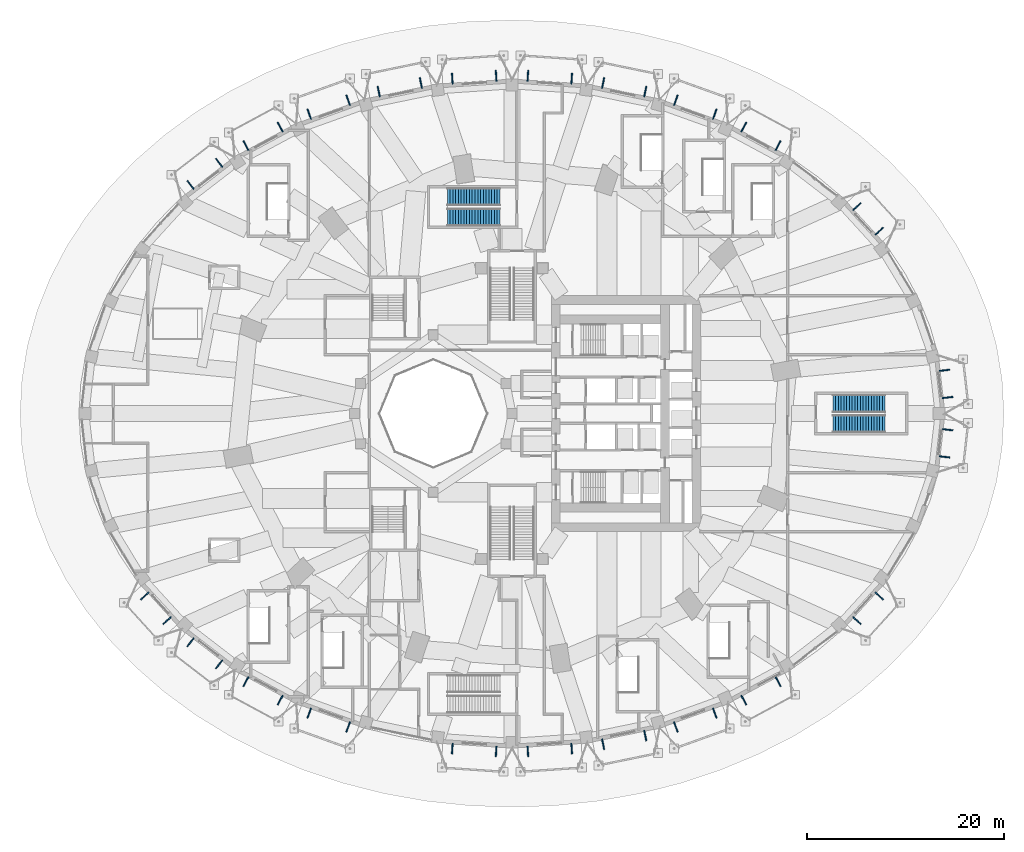
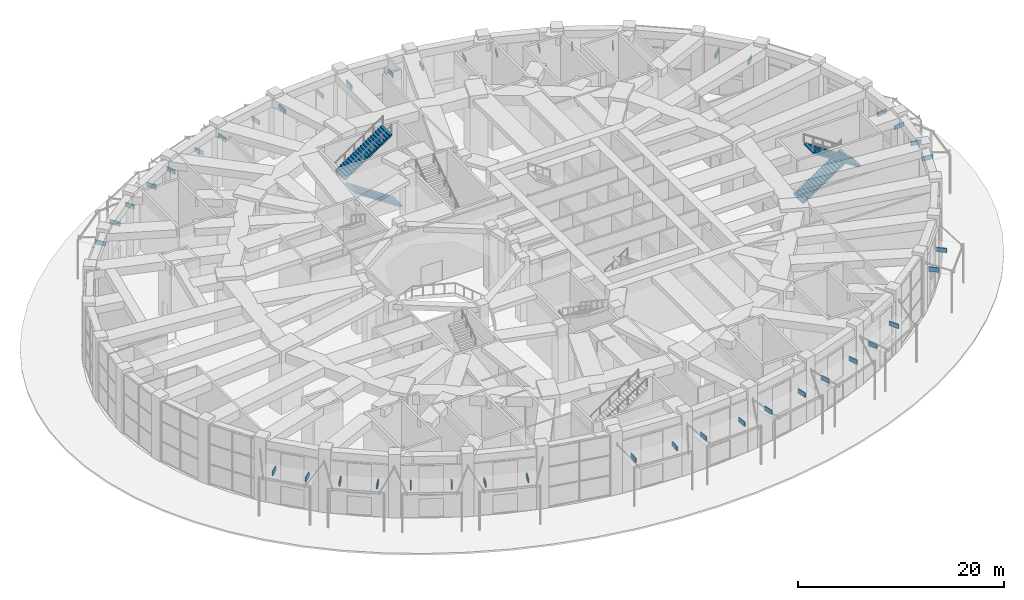
# One storey, part 43 of 60: 44 discrete accessories, 4 stair flights, 2 elements without a shape of their own.
"""IFC4 building model written with IfcOpenShell, lengths in metres."""

from ifc_helpers import new_model, si_unit, direction, frame, origin, origin_2d, place, context, subcontext, project, spatial, polyline, rectangle, outline, extrude, material, type_object, element, aggregate, save


model = new_model("IFC4")

# Units and contexts
model_context = context("Model", 3, precision=1e-05, world=origin(), true_north=direction((0.0, 1.0)))
body_context = subcontext(model_context, "Body", "Model", "MODEL_VIEW")
ifc_project = project(units=[si_unit("LENGTHUNIT", "METRE"), si_unit("AREAUNIT", "SQUARE_METRE"), si_unit("VOLUMEUNIT", "CUBIC_METRE"), si_unit("PLANEANGLEUNIT", "RADIAN"), si_unit("MASSUNIT", "GRAM", prefix="KILO")], contexts=[model_context])

# Site, building, storey
site_placement = place(None, origin())
site = spatial("IfcSite", under=ifc_project, at=site_placement, CompositionType="ELEMENT")
building_placement = place(site_placement, origin())
building = spatial("IfcBuilding", under=site, at=building_placement, Name="Taillehof Tower", CompositionType="ELEMENT")
storey_placement = place(building_placement, origin())
storey = spatial("IfcBuildingStorey", under=building, at=storey_placement, Name="L00", CompositionType="ELEMENT", Elevation=0.0)

# Stair, stair flights
ifc_material_1 = material(Name="Concrete C30/37", Category="concrete")
stair_type = type_object("IfcStairType", Name="Escape stair 1800 mm", PredefinedType="HALF_TURN_STAIR", material=ifc_material_1)
stair_1_placement = place(storey_placement, origin())
stair_1 = element("IfcStair", 1, at=stair_1_placement, inside=storey, type_object=stair_type, Name="Escape stair P3", PredefinedType="HALF_TURN_STAIR")
ifc_material_2 = material(Name="Concrete C30/37", Category="concrete")
stair_flight_type = type_object("IfcStairFlightType", Name="Stair flight 1800 mm", PredefinedType="STRAIGHT", material=ifc_material_2)
stair_flight_1_placement = place(storey_placement, frame((-1.239990234375, 19.97509765625, 0.0), z_axis=(0.0, 0.0, 1.0), x_axis=(-1.0, 0.0, 0.0)))
stair_flight_1 = element("IfcStairFlight", 2, at=stair_flight_1_placement, type_object=stair_flight_type, Name="P3 flight 1", NumberOfRisers=20, NumberOfTreads=19, PredefinedType="STRAIGHT", RiserHeight=0.1875, TreadLength=0.28, context=body_context, shape_type="SweptSolid", body=[
    extrude(outline(polyline([(0.0, 0.0), (0.0, 0.003173828125), (0.0, 0.006103515625), (0.0, 0.00927734375), (0.0, 0.01220703125), (0.0, 0.015380859375), (0.0, 0.0185546875), (0.0, 0.021484375), (0.0, 0.024658203125), (0.0, 0.027587890625), (0.0, 0.03076171875), (0.0, 0.03369140625), (0.0, 0.036865234375), (0.0, 0.0400390625), (0.0, 0.04296875), (0.0, 0.046142578125), (0.0, 0.049072265625), (0.0, 0.05224609375), (0.0, 0.055419921875), (0.0, 0.058349609375), (0.0, 0.0615234375), (0.0, 0.064453125), (0.0, 0.067626953125), (0.0, 0.07080078125), (0.0, 0.07373046875), (0.0, 0.076904296875), (0.0, 0.079833984375), (0.0, 0.0830078125), (0.0, 0.086181640625), (0.0, 0.089111328125), (0.0, 0.09228515625), (0.0, 0.09521484375), (0.0, 0.098388671875), (0.0, 0.101318359375), (0.0, 0.1044921875), (0.0, 0.107666015625), (0.0, 0.110595703125), (0.0, 0.11376953125), (0.0, 0.11669921875), (0.0, 0.119873046875), (0.0, 0.123046875), (0.0, 0.1259765625), (0.0, 0.129150390625), (0.0, 0.132080078125), (0.0, 0.13525390625), (0.0, 0.138427734375), (0.0, 0.141357421875), (0.0, 0.14453125), (0.0, 0.1474609375), (0.0, 0.150634765625), (0.0, 0.15380859375), (0.0, 0.15673828125), (0.0, 0.159912109375), (0.0, 0.162841796875), (0.0, 0.166015625), (0.0, 0.1689453125), (0.0, 0.172119140625), (0.0, 0.17529296875), (0.0, 0.17822265625), (0.0, 0.181396484375), (0.0, 0.184326171875), (0.0, 0.1875), (0.280029296875, 0.1875), (0.280029296875, 0.375), (0.56005859375, 0.375), (0.56005859375, 0.5625), (0.840087890625, 0.5625), (0.840087890625, 0.75), (1.1201171875, 0.75), (1.1201171875, 0.9375), (1.39990234375, 0.9375), (1.39990234375, 1.125), (1.679931640625, 1.125), (1.679931640625, 1.3125), (1.9599609375, 1.3125), (1.9599609375, 1.5), (2.239990234375, 1.5), (2.239990234375, 1.6875), (2.52001953125, 1.6875), (2.52001953125, 1.875), (2.800048828125, 1.875), (2.800048828125, 2.0625), (3.080078125, 2.0625), (3.080078125, 2.25), (3.360107421875, 2.25), (3.360107421875, 2.4375), (3.639892578125, 2.4375), (3.639892578125, 2.625), (3.919921875, 2.625), (3.919921875, 2.8125), (4.199951171875, 2.8125), (4.199951171875, 3.0), (4.47998046875, 3.0), (4.47998046875, 3.1875), (4.760009765625, 3.1875), (4.760009765625, 3.375), (5.0400390625, 3.375), (5.0400390625, 3.5625), (5.320068359375, 3.5625), (5.320068359375, 3.5595703125), (5.320068359375, 3.556640625), (5.320068359375, 3.5537109375), (5.320068359375, 3.55078125), (5.320068359375, 3.547607421875), (5.320068359375, 3.544677734375), (5.320068359375, 3.541748046875), (5.320068359375, 3.538818359375), (5.320068359375, 3.535888671875), (5.320068359375, 3.532958984375), (5.320068359375, 3.530029296875), (5.320068359375, 3.527099609375), (5.320068359375, 3.524169921875), (5.320068359375, 3.52099609375), (5.320068359375, 3.51806640625), (5.320068359375, 3.51513671875), (5.320068359375, 3.51220703125), (5.320068359375, 3.50927734375), (5.320068359375, 3.50634765625), (5.320068359375, 3.50341796875), (5.320068359375, 3.50048828125), (5.320068359375, 3.497314453125), (5.320068359375, 3.494384765625), (5.320068359375, 3.491455078125), (5.320068359375, 3.488525390625), (5.320068359375, 3.485595703125), (5.320068359375, 3.482666015625), (5.320068359375, 3.479736328125), (5.320068359375, 3.476806640625), (5.320068359375, 3.473876953125), (5.320068359375, 3.470703125), (5.320068359375, 3.4677734375), (5.320068359375, 3.46484375), (5.320068359375, 3.4619140625), (5.320068359375, 3.458984375), (5.320068359375, 3.4560546875), (5.320068359375, 3.453125), (5.320068359375, 3.4501953125), (5.320068359375, 3.447265625), (5.320068359375, 3.444091796875), (5.320068359375, 3.441162109375), (5.320068359375, 3.438232421875), (5.320068359375, 3.435302734375), (5.320068359375, 3.432373046875), (5.320068359375, 3.429443359375), (5.320068359375, 3.426513671875), (5.320068359375, 3.423583984375), (5.320068359375, 3.420654296875), (5.320068359375, 3.41748046875), (5.320068359375, 3.41455078125), (5.320068359375, 3.41162109375), (5.320068359375, 3.40869140625), (5.320068359375, 3.40576171875), (5.320068359375, 3.40283203125), (5.320068359375, 3.39990234375), (5.320068359375, 3.39697265625), (5.320068359375, 3.39404296875), (5.320068359375, 3.390869140625), (5.320068359375, 3.387939453125), (5.320068359375, 3.385009765625), (5.320068359375, 3.382080078125), (0.26953125, 0.0), (0.0, 0.0)])), frame((0.0, 0.89990234375, 0.0), z_axis=(0.0, -1.0, 0.0), x_axis=(1.0, 0.0, 0.0)), (0.0, 0.0, 1.0), 1.8),
])
stair_flight_2_placement = place(storey_placement, frame((-6.56005859375, 22.02490234375, 3.75), z_axis=(0.0, 0.0, 1.0), x_axis=(1.0, 0.0, 0.0)))
stair_flight_2 = element("IfcStairFlight", 3, at=stair_flight_2_placement, type_object=stair_flight_type, Name="P3 flight 2", NumberOfRisers=20, NumberOfTreads=19, PredefinedType="STRAIGHT", RiserHeight=0.1875, TreadLength=0.28, context=body_context, shape_type="SweptSolid", body=[
    extrude(outline(polyline([(0.0, 0.0), (0.0, 0.003173828125), (0.0, 0.006103515625), (0.0, 0.00927734375), (0.0, 0.01220703125), (0.0, 0.015380859375), (0.0, 0.0185546875), (0.0, 0.021484375), (0.0, 0.024658203125), (0.0, 0.027587890625), (0.0, 0.03076171875), (0.0, 0.03369140625), (0.0, 0.036865234375), (0.0, 0.0400390625), (0.0, 0.04296875), (0.0, 0.046142578125), (0.0, 0.049072265625), (0.0, 0.05224609375), (0.0, 0.055419921875), (0.0, 0.058349609375), (0.0, 0.0615234375), (0.0, 0.064453125), (0.0, 0.067626953125), (0.0, 0.07080078125), (0.0, 0.07373046875), (0.0, 0.076904296875), (0.0, 0.079833984375), (0.0, 0.0830078125), (0.0, 0.086181640625), (0.0, 0.089111328125), (0.0, 0.09228515625), (0.0, 0.09521484375), (0.0, 0.098388671875), (0.0, 0.101318359375), (0.0, 0.1044921875), (0.0, 0.107666015625), (0.0, 0.110595703125), (0.0, 0.11376953125), (0.0, 0.11669921875), (0.0, 0.119873046875), (0.0, 0.123046875), (0.0, 0.1259765625), (0.0, 0.129150390625), (0.0, 0.132080078125), (0.0, 0.13525390625), (0.0, 0.138427734375), (0.0, 0.141357421875), (0.0, 0.14453125), (0.0, 0.1474609375), (0.0, 0.150634765625), (0.0, 0.15380859375), (0.0, 0.15673828125), (0.0, 0.159912109375), (0.0, 0.162841796875), (0.0, 0.166015625), (0.0, 0.1689453125), (0.0, 0.172119140625), (0.0, 0.17529296875), (0.0, 0.17822265625), (0.0, 0.181396484375), (0.0, 0.184326171875), (0.0, 0.1875), (0.280029296875, 0.1875), (0.280029296875, 0.375), (0.56005859375, 0.375), (0.56005859375, 0.5625), (0.840087890625, 0.5625), (0.840087890625, 0.75), (1.1201171875, 0.75), (1.1201171875, 0.9375), (1.39990234375, 0.9375), (1.39990234375, 1.125), (1.679931640625, 1.125), (1.679931640625, 1.3125), (1.9599609375, 1.3125), (1.9599609375, 1.5), (2.239990234375, 1.5), (2.239990234375, 1.6875), (2.52001953125, 1.6875), (2.52001953125, 1.875), (2.800048828125, 1.875), (2.800048828125, 2.0625), (3.080078125, 2.0625), (3.080078125, 2.25), (3.360107421875, 2.25), (3.360107421875, 2.4375), (3.639892578125, 2.4375), (3.639892578125, 2.625), (3.919921875, 2.625), (3.919921875, 2.8125), (4.199951171875, 2.8125), (4.199951171875, 3.0), (4.47998046875, 3.0), (4.47998046875, 3.1875), (4.760009765625, 3.1875), (4.760009765625, 3.375), (5.0400390625, 3.375), (5.0400390625, 3.5625), (5.320068359375, 3.5625), (5.320068359375, 3.5595703125), (5.320068359375, 3.556640625), (5.320068359375, 3.5537109375), (5.320068359375, 3.55078125), (5.320068359375, 3.547607421875), (5.320068359375, 3.544677734375), (5.320068359375, 3.541748046875), (5.320068359375, 3.538818359375), (5.320068359375, 3.535888671875), (5.320068359375, 3.532958984375), (5.320068359375, 3.530029296875), (5.320068359375, 3.527099609375), (5.320068359375, 3.524169921875), (5.320068359375, 3.52099609375), (5.320068359375, 3.51806640625), (5.320068359375, 3.51513671875), (5.320068359375, 3.51220703125), (5.320068359375, 3.50927734375), (5.320068359375, 3.50634765625), (5.320068359375, 3.50341796875), (5.320068359375, 3.50048828125), (5.320068359375, 3.497314453125), (5.320068359375, 3.494384765625), (5.320068359375, 3.491455078125), (5.320068359375, 3.488525390625), (5.320068359375, 3.485595703125), (5.320068359375, 3.482666015625), (5.320068359375, 3.479736328125), (5.320068359375, 3.476806640625), (5.320068359375, 3.473876953125), (5.320068359375, 3.470703125), (5.320068359375, 3.4677734375), (5.320068359375, 3.46484375), (5.320068359375, 3.4619140625), (5.320068359375, 3.458984375), (5.320068359375, 3.4560546875), (5.320068359375, 3.453125), (5.320068359375, 3.4501953125), (5.320068359375, 3.447265625), (5.320068359375, 3.444091796875), (5.320068359375, 3.441162109375), (5.320068359375, 3.438232421875), (5.320068359375, 3.435302734375), (5.320068359375, 3.432373046875), (5.320068359375, 3.429443359375), (5.320068359375, 3.426513671875), (5.320068359375, 3.423583984375), (5.320068359375, 3.420654296875), (5.320068359375, 3.41748046875), (5.320068359375, 3.41455078125), (5.320068359375, 3.41162109375), (5.320068359375, 3.40869140625), (5.320068359375, 3.40576171875), (5.320068359375, 3.40283203125), (5.320068359375, 3.39990234375), (5.320068359375, 3.39697265625), (5.320068359375, 3.39404296875), (5.320068359375, 3.390869140625), (5.320068359375, 3.387939453125), (5.320068359375, 3.385009765625), (5.320068359375, 3.382080078125), (0.26953125, 0.0), (0.0, 0.0)])), frame((0.0, 0.89990234375, 0.0), z_axis=(0.0, -1.0, 0.0), x_axis=(1.0, 0.0, 0.0)), (0.0, 0.0, 1.0), 1.8),
])
aggregate(stair_1, [stair_flight_1, stair_flight_2])

stair_2_placement = place(storey_placement, origin())
stair_2 = element("IfcStair", 4, at=stair_2_placement, inside=storey, type_object=stair_type, Name="Escape stair P5", PredefinedType="HALF_TURN_STAIR")
stair_flight_3_placement = place(storey_placement, frame((32.60009765625, 1.02490234375, 0.0), z_axis=(0.0, 0.0, 1.0), x_axis=(1.0, 0.0, 0.0)))
stair_flight_3 = element("IfcStairFlight", 5, at=stair_flight_3_placement, type_object=stair_flight_type, Name="P5 flight 1", NumberOfRisers=20, NumberOfTreads=19, PredefinedType="STRAIGHT", RiserHeight=0.1875, TreadLength=0.28, context=body_context, shape_type="SweptSolid", body=[
    extrude(outline(polyline([(0.0, 0.0), (0.0, 0.003173828125), (0.0, 0.006103515625), (0.0, 0.00927734375), (0.0, 0.01220703125), (0.0, 0.015380859375), (0.0, 0.0185546875), (0.0, 0.021484375), (0.0, 0.024658203125), (0.0, 0.027587890625), (0.0, 0.03076171875), (0.0, 0.03369140625), (0.0, 0.036865234375), (0.0, 0.0400390625), (0.0, 0.04296875), (0.0, 0.046142578125), (0.0, 0.049072265625), (0.0, 0.05224609375), (0.0, 0.055419921875), (0.0, 0.058349609375), (0.0, 0.0615234375), (0.0, 0.064453125), (0.0, 0.067626953125), (0.0, 0.07080078125), (0.0, 0.07373046875), (0.0, 0.076904296875), (0.0, 0.079833984375), (0.0, 0.0830078125), (0.0, 0.086181640625), (0.0, 0.089111328125), (0.0, 0.09228515625), (0.0, 0.09521484375), (0.0, 0.098388671875), (0.0, 0.101318359375), (0.0, 0.1044921875), (0.0, 0.107666015625), (0.0, 0.110595703125), (0.0, 0.11376953125), (0.0, 0.11669921875), (0.0, 0.119873046875), (0.0, 0.123046875), (0.0, 0.1259765625), (0.0, 0.129150390625), (0.0, 0.132080078125), (0.0, 0.13525390625), (0.0, 0.138427734375), (0.0, 0.141357421875), (0.0, 0.14453125), (0.0, 0.1474609375), (0.0, 0.150634765625), (0.0, 0.15380859375), (0.0, 0.15673828125), (0.0, 0.159912109375), (0.0, 0.162841796875), (0.0, 0.166015625), (0.0, 0.1689453125), (0.0, 0.172119140625), (0.0, 0.17529296875), (0.0, 0.17822265625), (0.0, 0.181396484375), (0.0, 0.184326171875), (0.0, 0.1875), (0.280029296875, 0.1875), (0.280029296875, 0.375), (0.56005859375, 0.375), (0.56005859375, 0.5625), (0.840087890625, 0.5625), (0.840087890625, 0.75), (1.1201171875, 0.75), (1.1201171875, 0.9375), (1.39990234375, 0.9375), (1.39990234375, 1.125), (1.679931640625, 1.125), (1.679931640625, 1.3125), (1.9599609375, 1.3125), (1.9599609375, 1.5), (2.239990234375, 1.5), (2.239990234375, 1.6875), (2.52001953125, 1.6875), (2.52001953125, 1.875), (2.800048828125, 1.875), (2.800048828125, 2.0625), (3.080078125, 2.0625), (3.080078125, 2.25), (3.360107421875, 2.25), (3.360107421875, 2.4375), (3.639892578125, 2.4375), (3.639892578125, 2.625), (3.919921875, 2.625), (3.919921875, 2.8125), (4.199951171875, 2.8125), (4.199951171875, 3.0), (4.47998046875, 3.0), (4.47998046875, 3.1875), (4.760009765625, 3.1875), (4.760009765625, 3.375), (5.0400390625, 3.375), (5.0400390625, 3.5625), (5.320068359375, 3.5625), (5.320068359375, 3.5595703125), (5.320068359375, 3.556640625), (5.320068359375, 3.5537109375), (5.320068359375, 3.55078125), (5.320068359375, 3.547607421875), (5.320068359375, 3.544677734375), (5.320068359375, 3.541748046875), (5.320068359375, 3.538818359375), (5.320068359375, 3.535888671875), (5.320068359375, 3.532958984375), (5.320068359375, 3.530029296875), (5.320068359375, 3.527099609375), (5.320068359375, 3.524169921875), (5.320068359375, 3.52099609375), (5.320068359375, 3.51806640625), (5.320068359375, 3.51513671875), (5.320068359375, 3.51220703125), (5.320068359375, 3.50927734375), (5.320068359375, 3.50634765625), (5.320068359375, 3.50341796875), (5.320068359375, 3.50048828125), (5.320068359375, 3.497314453125), (5.320068359375, 3.494384765625), (5.320068359375, 3.491455078125), (5.320068359375, 3.488525390625), (5.320068359375, 3.485595703125), (5.320068359375, 3.482666015625), (5.320068359375, 3.479736328125), (5.320068359375, 3.476806640625), (5.320068359375, 3.473876953125), (5.320068359375, 3.470703125), (5.320068359375, 3.4677734375), (5.320068359375, 3.46484375), (5.320068359375, 3.4619140625), (5.320068359375, 3.458984375), (5.320068359375, 3.4560546875), (5.320068359375, 3.453125), (5.320068359375, 3.4501953125), (5.320068359375, 3.447265625), (5.320068359375, 3.444091796875), (5.320068359375, 3.441162109375), (5.320068359375, 3.438232421875), (5.320068359375, 3.435302734375), (5.320068359375, 3.432373046875), (5.320068359375, 3.429443359375), (5.320068359375, 3.426513671875), (5.320068359375, 3.423583984375), (5.320068359375, 3.420654296875), (5.320068359375, 3.41748046875), (5.320068359375, 3.41455078125), (5.320068359375, 3.41162109375), (5.320068359375, 3.40869140625), (5.320068359375, 3.40576171875), (5.320068359375, 3.40283203125), (5.320068359375, 3.39990234375), (5.320068359375, 3.39697265625), (5.320068359375, 3.39404296875), (5.320068359375, 3.390869140625), (5.320068359375, 3.387939453125), (5.320068359375, 3.385009765625), (5.320068359375, 3.382080078125), (0.26953125, 0.0), (0.0, 0.0)])), frame((0.0, 0.89990234375, 0.0), z_axis=(0.0, -1.0, 0.0), x_axis=(1.0, 0.0, 0.0)), (0.0, 0.0, 1.0), 1.8),
])
stair_flight_4_placement = place(storey_placement, frame((37.919921875, -1.02490234375, 3.75), z_axis=(0.0, 0.0, 1.0), x_axis=(-1.0, 0.0, 0.0)))
stair_flight_4 = element("IfcStairFlight", 6, at=stair_flight_4_placement, type_object=stair_flight_type, Name="P5 flight 2", NumberOfRisers=20, NumberOfTreads=19, PredefinedType="STRAIGHT", RiserHeight=0.1875, TreadLength=0.28, context=body_context, shape_type="SweptSolid", body=[
    extrude(outline(polyline([(0.0, 0.0), (0.0, 0.003173828125), (0.0, 0.006103515625), (0.0, 0.00927734375), (0.0, 0.01220703125), (0.0, 0.015380859375), (0.0, 0.0185546875), (0.0, 0.021484375), (0.0, 0.024658203125), (0.0, 0.027587890625), (0.0, 0.03076171875), (0.0, 0.03369140625), (0.0, 0.036865234375), (0.0, 0.0400390625), (0.0, 0.04296875), (0.0, 0.046142578125), (0.0, 0.049072265625), (0.0, 0.05224609375), (0.0, 0.055419921875), (0.0, 0.058349609375), (0.0, 0.0615234375), (0.0, 0.064453125), (0.0, 0.067626953125), (0.0, 0.07080078125), (0.0, 0.07373046875), (0.0, 0.076904296875), (0.0, 0.079833984375), (0.0, 0.0830078125), (0.0, 0.086181640625), (0.0, 0.089111328125), (0.0, 0.09228515625), (0.0, 0.09521484375), (0.0, 0.098388671875), (0.0, 0.101318359375), (0.0, 0.1044921875), (0.0, 0.107666015625), (0.0, 0.110595703125), (0.0, 0.11376953125), (0.0, 0.11669921875), (0.0, 0.119873046875), (0.0, 0.123046875), (0.0, 0.1259765625), (0.0, 0.129150390625), (0.0, 0.132080078125), (0.0, 0.13525390625), (0.0, 0.138427734375), (0.0, 0.141357421875), (0.0, 0.14453125), (0.0, 0.1474609375), (0.0, 0.150634765625), (0.0, 0.15380859375), (0.0, 0.15673828125), (0.0, 0.159912109375), (0.0, 0.162841796875), (0.0, 0.166015625), (0.0, 0.1689453125), (0.0, 0.172119140625), (0.0, 0.17529296875), (0.0, 0.17822265625), (0.0, 0.181396484375), (0.0, 0.184326171875), (0.0, 0.1875), (0.280029296875, 0.1875), (0.280029296875, 0.375), (0.56005859375, 0.375), (0.56005859375, 0.5625), (0.840087890625, 0.5625), (0.840087890625, 0.75), (1.1201171875, 0.75), (1.1201171875, 0.9375), (1.39990234375, 0.9375), (1.39990234375, 1.125), (1.679931640625, 1.125), (1.679931640625, 1.3125), (1.9599609375, 1.3125), (1.9599609375, 1.5), (2.239990234375, 1.5), (2.239990234375, 1.6875), (2.52001953125, 1.6875), (2.52001953125, 1.875), (2.800048828125, 1.875), (2.800048828125, 2.0625), (3.080078125, 2.0625), (3.080078125, 2.25), (3.360107421875, 2.25), (3.360107421875, 2.4375), (3.639892578125, 2.4375), (3.639892578125, 2.625), (3.919921875, 2.625), (3.919921875, 2.8125), (4.199951171875, 2.8125), (4.199951171875, 3.0), (4.47998046875, 3.0), (4.47998046875, 3.1875), (4.760009765625, 3.1875), (4.760009765625, 3.375), (5.0400390625, 3.375), (5.0400390625, 3.5625), (5.320068359375, 3.5625), (5.320068359375, 3.5595703125), (5.320068359375, 3.556640625), (5.320068359375, 3.5537109375), (5.320068359375, 3.55078125), (5.320068359375, 3.547607421875), (5.320068359375, 3.544677734375), (5.320068359375, 3.541748046875), (5.320068359375, 3.538818359375), (5.320068359375, 3.535888671875), (5.320068359375, 3.532958984375), (5.320068359375, 3.530029296875), (5.320068359375, 3.527099609375), (5.320068359375, 3.524169921875), (5.320068359375, 3.52099609375), (5.320068359375, 3.51806640625), (5.320068359375, 3.51513671875), (5.320068359375, 3.51220703125), (5.320068359375, 3.50927734375), (5.320068359375, 3.50634765625), (5.320068359375, 3.50341796875), (5.320068359375, 3.50048828125), (5.320068359375, 3.497314453125), (5.320068359375, 3.494384765625), (5.320068359375, 3.491455078125), (5.320068359375, 3.488525390625), (5.320068359375, 3.485595703125), (5.320068359375, 3.482666015625), (5.320068359375, 3.479736328125), (5.320068359375, 3.476806640625), (5.320068359375, 3.473876953125), (5.320068359375, 3.470703125), (5.320068359375, 3.4677734375), (5.320068359375, 3.46484375), (5.320068359375, 3.4619140625), (5.320068359375, 3.458984375), (5.320068359375, 3.4560546875), (5.320068359375, 3.453125), (5.320068359375, 3.4501953125), (5.320068359375, 3.447265625), (5.320068359375, 3.444091796875), (5.320068359375, 3.441162109375), (5.320068359375, 3.438232421875), (5.320068359375, 3.435302734375), (5.320068359375, 3.432373046875), (5.320068359375, 3.429443359375), (5.320068359375, 3.426513671875), (5.320068359375, 3.423583984375), (5.320068359375, 3.420654296875), (5.320068359375, 3.41748046875), (5.320068359375, 3.41455078125), (5.320068359375, 3.41162109375), (5.320068359375, 3.40869140625), (5.320068359375, 3.40576171875), (5.320068359375, 3.40283203125), (5.320068359375, 3.39990234375), (5.320068359375, 3.39697265625), (5.320068359375, 3.39404296875), (5.320068359375, 3.390869140625), (5.320068359375, 3.387939453125), (5.320068359375, 3.385009765625), (5.320068359375, 3.382080078125), (0.26953125, 0.0), (0.0, 0.0)])), frame((0.0, 0.89990234375, 0.0), z_axis=(0.0, -1.0, 0.0), x_axis=(1.0, 0.0, 0.0)), (0.0, 0.0, 1.0), 1.8),
])
aggregate(stair_2, [stair_flight_3, stair_flight_4])

# Discrete accessories
ifc_material_3 = material(Name="Steel S460M", Category="steel")
discrete_accessory_type = type_object("IfcDiscreteAccessoryType", Name="Steel bracket", PredefinedType="BRACKET", material=ifc_material_3)
for number, where, z_axis, x_axis, name in (
    (7, (44.266845703125, 1.63720703125, 3.949951171875), (0.0, 0.0, 1.0), (0.993602640842, 0.112932688412, 0.0), "Canopy bracket E18"),
    (8, (43.952880859375, 4.398193359375, 3.949951171875), (0.0, 0.0, 1.0), (0.993602640842, 0.112932688412, 0.0), "Canopy bracket E18"),
    (9, (37.32763671875, 18.539794921875, 3.949951171875), (0.0, 0.0, 1.0), (0.739707441067, 0.672928600693, 0.0), "Canopy bracket E14"),
    (10, (35.0556640625, 21.037109375, 3.949951171875), (0.0, 0.0, 1.0), (0.739707441067, 0.672928600693, 0.0), "Canopy bracket E14"),
    (11, (27.038818359375, 27.239013671875, 3.949951171875), (0.0, 0.0, 1.0), (0.474415498253, 0.880301047947, 0.0), "Canopy bracket E9"),
    (12, (23.5546875, 29.11669921875, 3.949951171875), (0.0, 0.0, 1.0), (0.474415498253, 0.880301047947, 0.0), "Canopy bracket E9"),
    (13, (20.60302734375, 30.4326171875, 3.949951171875), (0.0, 0.0, 1.0), (0.337798443669, 0.941218471692, 0.0), "Canopy bracket E10"),
    (14, (16.650390625, 31.851318359375, 3.949951171875), (0.0, 0.0, 1.0), (0.337798443669, 0.941218471692, 0.0), "Canopy bracket E10"),
    (15, (13.5439453125, 32.724365234375, 3.949951171875), (0.0, 0.0, 1.0), (0.20197541931, 0.97939059113, 0.0), "Canopy bracket E11"),
    (16, (9.260498046875, 33.607666015625, 3.949951171875), (0.0, 0.0, 1.0), (0.20197541931, 0.97939059113, 0.0), "Canopy bracket E11"),
    (17, (6.066162109375, 34.04248046875, 3.949951171875), (0.0, 0.0, 1.0), (0.067182931641, 0.997740674572, 0.0), "Canopy bracket E12"),
    (18, (1.611572265625, 34.342529296875, 3.949951171875), (0.0, 0.0, 1.0), (0.067182931641, 0.997740674572, 0.0), "Canopy bracket E12"),
    (19, (-1.611572265625, 34.342529296875, 3.949951171875), (0.0, 0.0, 1.0), (-0.067182931641, 0.997740674572, 0.0), "Canopy bracket E16"),
    (20, (-6.066162109375, 34.04248046875, 3.949951171875), (0.0, 0.0, 1.0), (-0.067182931641, 0.997740674572, 0.0), "Canopy bracket E16"),
    (21, (-9.260498046875, 33.607666015625, 3.949951171875), (0.0, 0.0, 1.0), (-0.20197541931, 0.97939059113, 0.0), "Canopy bracket E17"),
    (22, (-13.5439453125, 32.724365234375, 3.949951171875), (0.0, 0.0, 1.0), (-0.20197541931, 0.97939059113, 0.0), "Canopy bracket E17"),
    (23, (-16.650390625, 31.851318359375, 3.949951171875), (0.0, 0.0, 1.0), (-0.337798443669, 0.941218471692, 0.0), "Canopy bracket E1"),
    (24, (-20.60302734375, 30.4326171875, 3.949951171875), (0.0, 0.0, 1.0), (-0.337798443669, 0.941218471692, 0.0), "Canopy bracket E1"),
    (25, (-23.5546875, 29.11669921875, 3.949951171875), (0.0, 0.0, 1.0), (-0.474415498253, 0.880301047947, 0.0), "Canopy bracket E20"),
    (26, (-27.038818359375, 27.239013671875, 3.949951171875), (0.0, 0.0, 1.0), (-0.474415498253, 0.880301047947, 0.0), "Canopy bracket E20"),
    (27, (-29.75634765625, 25.477294921875, 3.949951171875), (0.0, 0.0, 1.0), (-0.609932189696, 0.792453609982, 0.0), "Canopy bracket E2"),
    (28, (-32.667236328125, 23.23681640625, 3.949951171875), (0.0, 0.0, 1.0), (-0.609932189696, 0.792453609982, 0.0), "Canopy bracket E2"),
    (29, (-37.32763671875, -18.539794921875, 3.949951171875), (0.0, 0.0, 1.0), (-0.739707441067, -0.672928600693, 0.0), "Canopy bracket E3"),
    (30, (-35.0556640625, -21.037109375, 3.949951171875), (0.0, 0.0, 1.0), (-0.739707441067, -0.672928600693, 0.0), "Canopy bracket E3"),
    (31, (-32.667236328125, -23.23681640625, 3.949951171875), (0.0, 0.0, 1.0), (-0.609932189696, -0.792453609982, 0.0), "Canopy bracket E4"),
    (32, (-29.75634765625, -25.477294921875, 3.949951171875), (0.0, 0.0, 1.0), (-0.609932189696, -0.792453609982, 0.0), "Canopy bracket E4"),
    (33, (-27.038818359375, -27.239013671875, 3.949951171875), (0.0, 0.0, 1.0), (-0.474415498253, -0.880301047947, 0.0), "Canopy bracket E21"),
    (34, (-23.5546875, -29.11669921875, 3.949951171875), (0.0, 0.0, 1.0), (-0.474415498253, -0.880301047947, 0.0), "Canopy bracket E21"),
    (35, (-20.60302734375, -30.4326171875, 3.949951171875), (0.0, 0.0, 1.0), (-0.337798443669, -0.941218471692, 0.0), "Canopy bracket E15"),
    (36, (-16.650390625, -31.851318359375, 3.949951171875), (0.0, 0.0, 1.0), (-0.337798443669, -0.941218471692, 0.0), "Canopy bracket E15"),
    (37, (-6.066162109375, -34.04248046875, 3.949951171875), (0.0, 0.0, 1.0), (-0.067182931641, -0.997740674572, 0.0), "Canopy bracket E5"),
    (38, (-1.611572265625, -34.342529296875, 3.949951171875), (0.0, 0.0, 1.0), (-0.067182931641, -0.997740674572, 0.0), "Canopy bracket E5"),
    (39, (1.611572265625, -34.342529296875, 3.949951171875), (0.0, 0.0, 1.0), (0.067182931641, -0.997740674572, 0.0), "Canopy bracket E6"),
    (40, (6.066162109375, -34.04248046875, 3.949951171875), (0.0, 0.0, 1.0), (0.067182931641, -0.997740674572, 0.0), "Canopy bracket E6"),
    (41, (9.260498046875, -33.607666015625, 3.949951171875), (0.0, 0.0, 1.0), (0.20197541931, -0.97939059113, 0.0), "Canopy bracket E7"),
    (42, (13.5439453125, -32.724365234375, 3.949951171875), (0.0, 0.0, 1.0), (0.20197541931, -0.97939059113, 0.0), "Canopy bracket E7"),
    (43, (16.650390625, -31.851318359375, 3.949951171875), (0.0, 0.0, 1.0), (0.337798443669, -0.941218471692, 0.0), "Canopy bracket E8"),
    (44, (20.60302734375, -30.4326171875, 3.949951171875), (0.0, 0.0, 1.0), (0.337798443669, -0.941218471692, 0.0), "Canopy bracket E8"),
    (45, (23.5546875, -29.11669921875, 3.949951171875), (0.0, 0.0, 1.0), (0.474415498253, -0.880301047947, 0.0), "Canopy bracket E22"),
    (46, (27.038818359375, -27.239013671875, 3.949951171875), (0.0, 0.0, 1.0), (0.474415498253, -0.880301047947, 0.0), "Canopy bracket E22"),
    (47, (35.0556640625, -21.037109375, 3.949951171875), (0.0, 0.0, 1.0), (0.739707441067, -0.672928600693, 0.0), "Canopy bracket E13"),
    (48, (37.32763671875, -18.539794921875, 3.949951171875), (0.0, 0.0, 1.0), (0.739707441067, -0.672928600693, 0.0), "Canopy bracket E13"),
    (49, (43.952880859375, -4.398193359375, 3.949951171875), (0.0, 0.0, 1.0), (0.993602640842, -0.112932688412, 0.0), "Canopy bracket E19"),
    (50, (44.266845703125, -1.63720703125, 3.949951171875), (0.0, 0.0, 1.0), (0.993602640842, -0.112932688412, 0.0), "Canopy bracket E19"),
):
    element("IfcDiscreteAccessory", number, at=place(storey_placement, frame(where, z_axis=z_axis, x_axis=x_axis)), inside=storey, type_object=discrete_accessory_type, Name=name, PredefinedType="BRACKET", context=body_context, shape_type="SweptSolid", body=[
        extrude(rectangle(XDim=1.10009765625, YDim=0.1201171875, at=origin_2d()), origin(), (0.0, 0.0, 1.0), 0.5),
    ])

save(model, "model.ifc")
